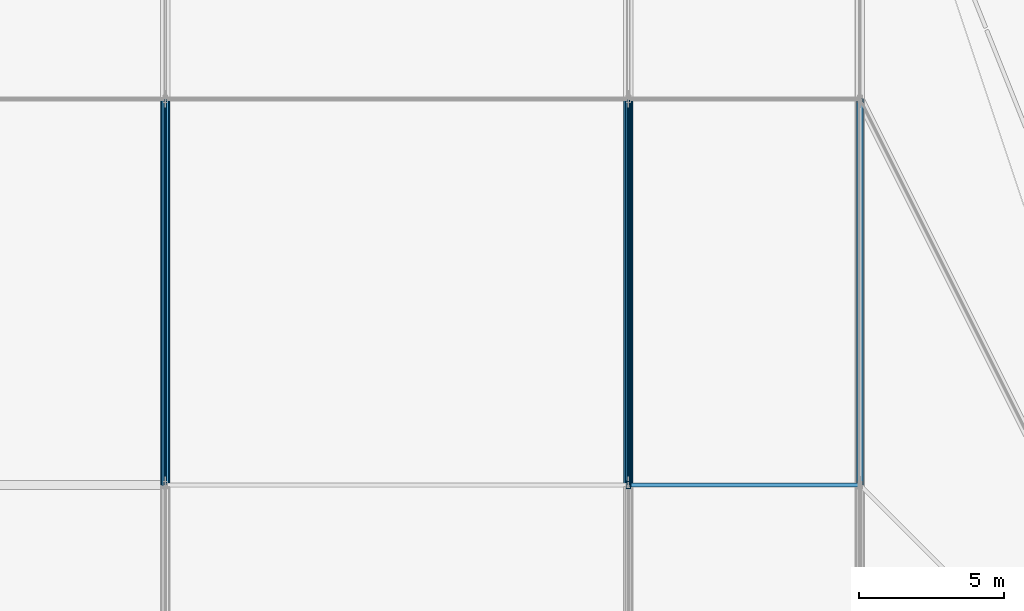
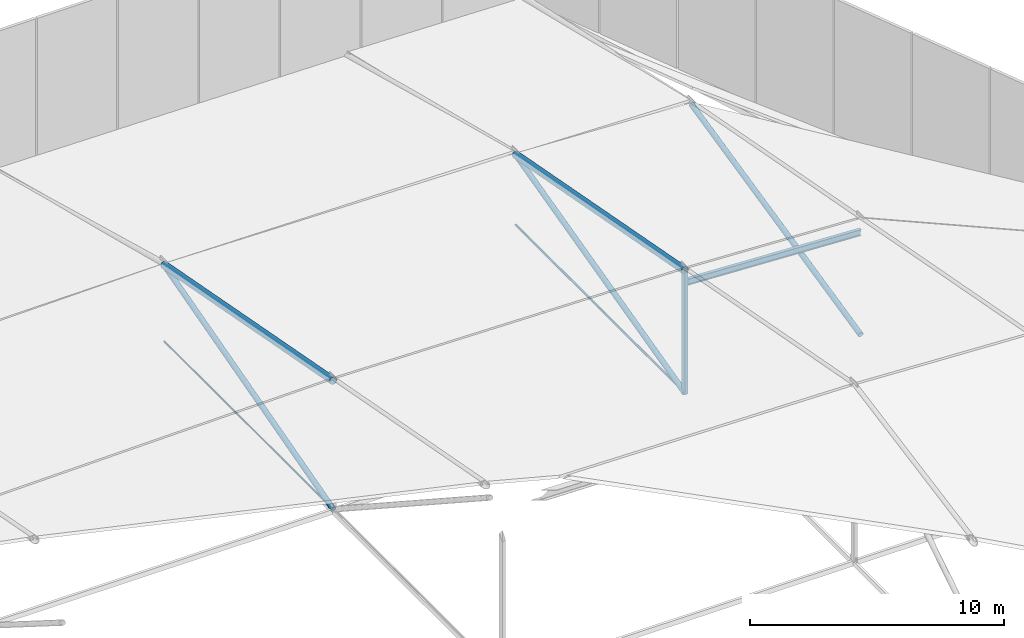
# One storey, part 14 of 30: 9 members.
"""IFC4 building model written with IfcOpenShell, lengths in metres."""

from ifc_helpers import new_model, si_unit, direction, frame, origin, origin_2d, place, context, subcontext, project, spatial, hollow_rectangle, circle, hollow_circle, i_section, extrude, material, material_profile, profile_set, type_object, element, save


model = new_model("IFC4")

# Units and contexts
model_context = context("Model", 3, precision=1e-05, world=origin(), true_north=direction((0.0, 1.0)))
body_context = subcontext(model_context, "Body", "Model", "MODEL_VIEW")
ifc_project = project(units=[si_unit("LENGTHUNIT", "METRE"), si_unit("AREAUNIT", "SQUARE_METRE"), si_unit("VOLUMEUNIT", "CUBIC_METRE"), si_unit("PLANEANGLEUNIT", "RADIAN"), si_unit("MASSUNIT", "GRAM", prefix="KILO")], contexts=[model_context])

# Site, building, storey
site_placement = place(None, origin())
site = spatial("IfcSite", under=ifc_project, at=site_placement, CompositionType="ELEMENT")
building_placement = place(site_placement, origin())
building = spatial("IfcBuilding", under=site, at=building_placement, Name="Tazarka Park Arena", CompositionType="ELEMENT")
storey_placement = place(building_placement, frame((0.0, 0.0, 29.39990234375)))
storey = spatial("IfcBuildingStorey", under=building, at=storey_placement, Name="Roof", CompositionType="ELEMENT", Elevation=29.39990234375)

# Members
ifc_material_1 = material(Name="Steel S355", Category="steel")
ifc_material_profile_1 = material_profile(ifc_material_1, hollow_circle(Radius=0.122314453125, WallThickness=0.012451171875, at=origin_2d()), Name="Steel S355")
ifc_profile_set_1 = profile_set([ifc_material_profile_1], Name="Steel S355")
member_type_1 = type_object("IfcMemberType", Name="MEM-BR-05", PredefinedType="BRACE", material=ifc_profile_set_1)
member_1_placement = place(storey_placement, frame((88.0, 77.333251953125, -0.0498046875), z_axis=(0.0, 0.964118911046, 0.265470761788), x_axis=(-1.0, 0.0, 0.0)))
element("IfcMember", 1, at=member_1_placement, inside=storey, type_object=member_type_1, Name="CBD-04-4", PredefinedType="BRACE", context=body_context, shape_type="SweptSolid", body=[
    extrude(hollow_circle(Radius=0.122314453125, WallThickness=0.012451171875, at=origin_2d()), origin(), (0.0, 0.0, 1.0), 13.829833984375),
])
member_2_placement = place(storey_placement, frame((104.0, 77.333251953125, -0.0498046875), z_axis=(0.0, 0.969459981923, 0.245249553416), x_axis=(-1.0, 0.0, 0.0)))
element("IfcMember", 2, at=member_2_placement, inside=storey, type_object=member_type_1, Name="CBD-05-4", PredefinedType="BRACE", context=body_context, shape_type="SweptSolid", body=[
    extrude(hollow_circle(Radius=0.122314453125, WallThickness=0.012451171875, at=origin_2d()), origin(), (0.0, 0.0, 1.0), 13.75341796875),
])
member_3_placement = place(storey_placement, frame((112.0, 77.333251953125, -0.0498046875), z_axis=(0.0, 0.975606504186, 0.219526647562), x_axis=(-1.0, 0.0, 0.0)))
element("IfcMember", 3, at=member_3_placement, inside=storey, type_object=member_type_1, Name="CBD-06-4", PredefinedType="BRACE", context=body_context, shape_type="SweptSolid", body=[
    extrude(hollow_circle(Radius=0.122314453125, WallThickness=0.012451171875, at=origin_2d()), origin(), (0.0, 0.0, 1.0), 13.6669921875),
])
ifc_material_2 = material(Name="Locked-coil steel cable S1570", Category="steel")
ifc_material_profile_2 = material_profile(ifc_material_2, circle(Radius=0.0400390625, at=origin_2d()), Name="Locked-coil steel cable S1570")
ifc_profile_set_2 = profile_set([ifc_material_profile_2], Name="Locked-coil steel cable S1570")
member_type_2 = type_object("IfcMemberType", Name="MEM-CBL-01", PredefinedType="USERDEFINED", material=ifc_profile_set_2)
member_4_placement = place(storey_placement, frame((88.0, 77.333251953125, -0.0498046875), z_axis=(0.0, 1.0, 0.0), x_axis=(-1.0, 0.0, 0.0)))
element("IfcMember", 4, at=member_4_placement, inside=storey, type_object=member_type_2, Name="CABLE CBL-01-5-5", ObjectType="CABLE", PredefinedType="USERDEFINED", context=body_context, shape_type="SweptSolid", body=[
    extrude(circle(Radius=0.0400390625, at=origin_2d()), origin(), (0.0, 0.0, 1.0), 13.33349609375),
])
ifc_material_3 = material(Name="Locked-coil steel cable S1570", Category="steel")
ifc_material_profile_3 = material_profile(ifc_material_3, circle(Radius=0.050048828125, at=origin_2d()), Name="Locked-coil steel cable S1570")
ifc_profile_set_3 = profile_set([ifc_material_profile_3], Name="Locked-coil steel cable S1570")
member_type_3 = type_object("IfcMemberType", Name="MEM-CBL-02", PredefinedType="USERDEFINED", material=ifc_profile_set_3)
member_5_placement = place(storey_placement, frame((104.0, 77.333251953125, -0.0498046875), z_axis=(0.0, 1.0, 0.0), x_axis=(-1.0, 0.0, 0.0)))
element("IfcMember", 5, at=member_5_placement, inside=storey, type_object=member_type_3, Name="CABLE CBL-02-6-5", ObjectType="CABLE", PredefinedType="USERDEFINED", context=body_context, shape_type="SweptSolid", body=[
    extrude(circle(Radius=0.050048828125, at=origin_2d()), origin(), (0.0, 0.0, 1.0), 13.33349609375),
])
ifc_material_4 = material(Name="Steel S460", Category="steel")
ifc_material_profile_4 = material_profile(ifc_material_4, hollow_circle(Radius=0.161865234375, WallThickness=0.01611328125, at=origin_2d()), Name="Steel S460")
ifc_profile_set_4 = profile_set([ifc_material_profile_4], Name="Steel S460")
member_type_4 = type_object("IfcMemberType", Name="MEM-CH-03", PredefinedType="CHORD", material=ifc_profile_set_4)
member_6_placement = place(storey_placement, frame((88.0, 77.333251953125, 6.1357421875), z_axis=(0.0, 0.982683048586, -0.185294430628), x_axis=(-1.0, 0.0, 0.0)))
element("IfcMember", 6, at=member_6_placement, inside=storey, type_object=member_type_4, Name="CABLE ARCH CHORD 5-5", PredefinedType="CHORD", context=body_context, shape_type="SweptSolid", body=[
    extrude(hollow_circle(Radius=0.161865234375, WallThickness=0.01611328125, at=origin_2d()), origin(), (0.0, 0.0, 1.0), 13.568359375),
])
member_7_placement = place(storey_placement, frame((104.0, 77.333251953125, 5.837646484375), z_axis=(0.0, 0.982679772131, -0.185311806005), x_axis=(-1.0, 0.0, 0.0)))
element("IfcMember", 7, at=member_7_placement, inside=storey, type_object=member_type_4, Name="CABLE ARCH CHORD 6-5", PredefinedType="CHORD", context=body_context, shape_type="SweptSolid", body=[
    extrude(hollow_circle(Radius=0.161865234375, WallThickness=0.01611328125, at=origin_2d()), origin(), (0.0, 0.0, 1.0), 13.568603515625),
])
ifc_material_5 = material(Name="Steel S355", Category="steel")
ifc_material_profile_5 = material_profile(ifc_material_5, i_section(OverallWidth=0.14990234375, OverallDepth=0.300048828125, WebThickness=0.007080078125, FlangeThickness=0.0107421875, FilletRadius=0.014892578125, at=origin_2d()), Name="Steel S355")
ifc_profile_set_5 = profile_set([ifc_material_profile_5], Name="Steel S355")
member_type_5 = type_object("IfcMemberType", Name="MEM-PR-02", PredefinedType="PURLIN", material=ifc_profile_set_5)
member_8_placement = place(storey_placement, frame((104.0, 77.333251953125, 5.277587890625), z_axis=(0.998915969307, 0.0, -0.046549825596), x_axis=(0.0, 1.0, 0.0)))
element("IfcMember", 8, at=member_8_placement, inside=storey, type_object=member_type_5, Name="RPM-05-04", PredefinedType="PURLIN", context=body_context, shape_type="SweptSolid", body=[
    extrude(i_section(OverallWidth=0.14990234375, OverallDepth=0.300048828125, WebThickness=0.007080078125, FlangeThickness=0.0107421875, FilletRadius=0.014892578125, at=origin_2d()), origin(), (0.0, 0.0, 1.0), 8.0087890625),
])
ifc_material_6 = material(Name="Steel S355", Category="steel")
ifc_material_profile_6 = material_profile(ifc_material_6, hollow_rectangle(XDim=0.14990234375, YDim=0.25, WallThickness=0.010009765625, at=origin_2d()), Name="Steel S355")
ifc_profile_set_6 = profile_set([ifc_material_profile_6], Name="Steel S355")
member_type_6 = type_object("IfcMemberType", Name="MEM-PT-02", PredefinedType="POST", material=ifc_profile_set_6)
member_9_placement = place(storey_placement, frame((104.0, 77.333251953125, -0.0498046875), z_axis=(0.0, 0.0, 1.0), x_axis=(1.0, 0.0, 0.0)))
element("IfcMember", 9, at=member_9_placement, inside=storey, type_object=member_type_6, Name="CBH-05-4", PredefinedType="POST", context=body_context, shape_type="SweptSolid", body=[
    extrude(hollow_rectangle(XDim=0.14990234375, YDim=0.25, WallThickness=0.010009765625, at=origin_2d()), origin(), (0.0, 0.0, 1.0), 5.887451171875),
])

save(model, "model.ifc")
